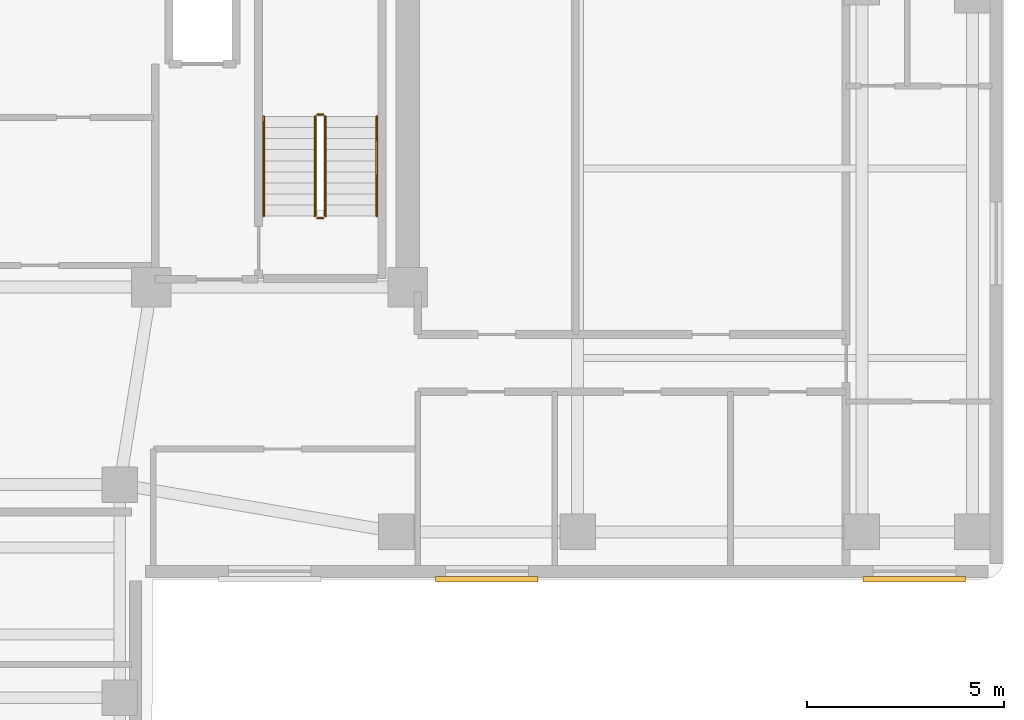
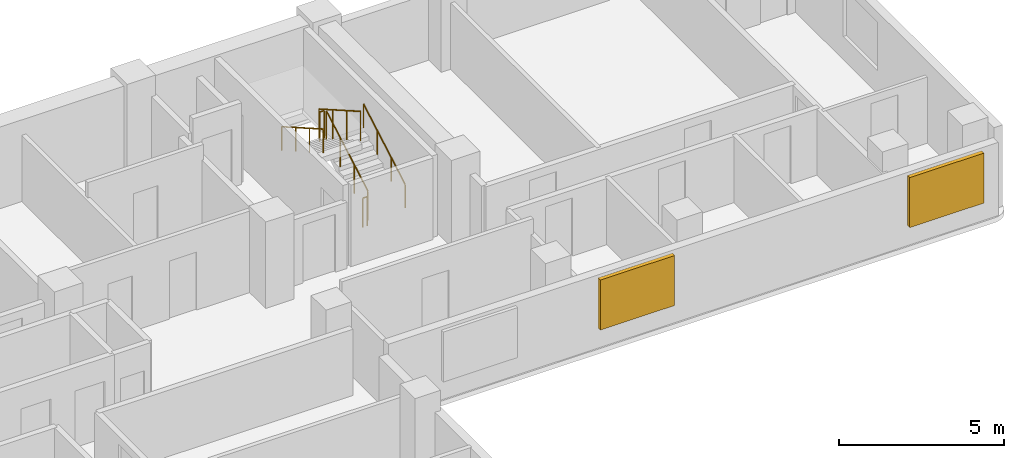
# One storey, part 6 of 6: 6 railings, 2 shading devices.
"""IFC4 building model written with IfcOpenShell, lengths in metres."""

from ifc_helpers import new_model, si_unit, direction, frame, origin, origin_2d, place, context, subcontext, project, spatial, rectangle, circle, extrude, material, layer, layer_set, type_object, element, save


model = new_model("IFC4")

# Units and contexts
model_context = context("Model", 3, precision=1e-05, world=origin(), true_north=direction((0.0, 1.0)))
body_context = subcontext(model_context, "Body", "Model", "MODEL_VIEW")
ifc_project = project(units=[si_unit("LENGTHUNIT", "METRE"), si_unit("AREAUNIT", "SQUARE_METRE"), si_unit("VOLUMEUNIT", "CUBIC_METRE"), si_unit("PLANEANGLEUNIT", "RADIAN"), si_unit("MASSUNIT", "GRAM", prefix="KILO")], contexts=[model_context])

# Site, building, storey
site_placement = place(None, origin())
site = spatial("IfcSite", under=ifc_project, at=site_placement, CompositionType="ELEMENT")
building_placement = place(site_placement, origin())
building = spatial("IfcBuilding", under=site, at=building_placement, Name="Kuzgunbayir Cultural Tower", CompositionType="ELEMENT")
storey_placement = place(building_placement, frame((0.0, 0.0, 182.39990234375)))
storey = spatial("IfcBuildingStorey", under=building, at=storey_placement, Name="L53", CompositionType="ELEMENT", Elevation=182.39990234375)

# Railings
ifc_material_1 = material(Name="Brushed Stainless Steel", Category="steel")
ifc_layer_1 = layer(ifc_material_1, 0.050048828125)
ifc_layer_set_1 = layer_set([ifc_layer_1], Name="Brushed Stainless Steel")
railing_type_1 = type_object("IfcRailingType", Name="RLG-STAIR-HANDRAIL", PredefinedType="HANDRAIL", material=ifc_layer_set_1)
railing_1_placement = place(storey_placement, frame((26.110107421875, 35.60009765625, 0.16015625)))
element("IfcRailing", 1, at=railing_1_placement, inside=storey, type_object=railing_type_1, Name="L53 ST-2 stair handrail 1", PredefinedType="HANDRAIL", context=body_context, shape_type="SweptSolid", body=[
    extrude(circle(Radius=0.02392578125, at=origin_2d()), frame((0.0, 0.0, 0.8759765625), z_axis=(0.0, 0.868253494771, 0.496120820787), x_axis=(-1.0, 0.0, 0.0)), (0.0, 0.0, 1.0), 2.90234375),
    extrude(circle(Radius=0.02099609375, at=origin_2d()), origin(), (0.0, 0.0, 1.0), 0.851806640625),
    extrude(circle(Radius=0.02099609375, at=origin_2d()), frame((0.0, 0.840087890625, 0.47998046875)), (0.0, 0.0, 1.0), 0.851806640625),
    extrude(circle(Radius=0.02099609375, at=origin_2d()), frame((0.0, 1.679931640625, 0.9599609375)), (0.0, 0.0, 1.0), 0.851806640625),
    extrude(circle(Radius=0.02099609375, at=origin_2d()), frame((0.0, 2.52001953125, 1.43994140625)), (0.0, 0.0, 1.0), 0.851806640625),
])
railing_2_placement = place(storey_placement, frame((23.25, 38.1201171875, 1.760009765625)))
element("IfcRailing", 2, at=railing_2_placement, inside=storey, type_object=railing_type_1, Name="L53 ST-2 stair handrail 2", PredefinedType="HANDRAIL", context=body_context, shape_type="SweptSolid", body=[
    extrude(circle(Radius=0.02392578125, at=origin_2d()), frame((0.0, 0.0, 0.8759765625), z_axis=(0.0, -0.868217259934, 0.496184229447), x_axis=(1.0, 0.0, 0.0)), (0.0, 0.0, 1.0), 2.902587890625),
    extrude(circle(Radius=0.02099609375, at=origin_2d()), origin(), (0.0, 0.0, 1.0), 0.851806640625),
    extrude(circle(Radius=0.02099609375, at=origin_2d()), frame((0.0, -0.840087890625, 0.47998046875)), (0.0, 0.0, 1.0), 0.851806640625),
    extrude(circle(Radius=0.02099609375, at=origin_2d()), frame((0.0, -1.679931640625, 0.960205078125)), (0.0, 0.0, 1.0), 0.851806640625),
    extrude(circle(Radius=0.02099609375, at=origin_2d()), frame((0.0, -2.52001953125, 1.440185546875)), (0.0, 0.0, 1.0), 0.851806640625),
])
ifc_material_2 = material(Name="Painted Steel Balustrade", Category="steel")
ifc_layer_2 = layer(ifc_material_2, 0.06005859375)
ifc_layer_set_2 = layer_set([ifc_layer_2], Name="Painted Steel Balustrade")
railing_type_2 = type_object("IfcRailingType", Name="RLG-WELL-GUARD", PredefinedType="GUARDRAIL", material=ifc_layer_set_2)
railing_3_placement = place(storey_placement, frame((24.81005859375, 35.60009765625, 0.16015625)))
element("IfcRailing", 3, at=railing_3_placement, inside=storey, type_object=railing_type_2, Name="L53 ST-2 stair guard 1", PredefinedType="GUARDRAIL", context=body_context, shape_type="SweptSolid", body=[
    extrude(circle(Radius=0.02392578125, at=origin_2d()), frame((0.0, 0.0, 1.076171875), z_axis=(0.0, 0.868253494771, 0.496120820787), x_axis=(-1.0, 0.0, 0.0)), (0.0, 0.0, 1.0), 2.90234375),
    extrude(circle(Radius=0.02099609375, at=origin_2d()), origin(), (0.0, 0.0, 1.0), 1.052001953125),
    extrude(circle(Radius=0.02099609375, at=origin_2d()), frame((0.0, 0.840087890625, 0.47998046875)), (0.0, 0.0, 1.0), 1.052001953125),
    extrude(circle(Radius=0.02099609375, at=origin_2d()), frame((0.0, 1.679931640625, 0.9599609375)), (0.0, 0.0, 1.0), 1.052001953125),
    extrude(circle(Radius=0.02099609375, at=origin_2d()), frame((0.0, 2.52001953125, 1.43994140625)), (0.0, 0.0, 1.0), 1.052001953125),
])
railing_4_placement = place(storey_placement, frame((24.760009765625, 38.169921875, 1.60009765625)))
element("IfcRailing", 4, at=railing_4_placement, inside=storey, type_object=railing_type_2, Name="L53 ST-2 stair guard 2", PredefinedType="GUARDRAIL", context=body_context, shape_type="SweptSolid", body=[
    extrude(circle(Radius=0.02392578125, at=origin_2d()), frame((0.0, 0.0, 1.076171875), z_axis=(-1.0, 0.0, 0.0), x_axis=(0.0, -1.0, 0.0)), (0.0, 0.0, 1.0), 0.159912109375),
    extrude(circle(Radius=0.02099609375, at=origin_2d()), origin(), (0.0, 0.0, 1.0), 1.052001953125),
    extrude(circle(Radius=0.02099609375, at=origin_2d()), frame((-0.159912109375, 0.0, 0.0)), (0.0, 0.0, 1.0), 1.052001953125),
])
railing_5_placement = place(storey_placement, frame((24.550048828125, 38.1201171875, 1.760009765625)))
element("IfcRailing", 5, at=railing_5_placement, inside=storey, type_object=railing_type_2, Name="L53 ST-2 stair guard 3", PredefinedType="GUARDRAIL", context=body_context, shape_type="SweptSolid", body=[
    extrude(circle(Radius=0.02392578125, at=origin_2d()), frame((0.0, 0.0, 1.076171875), z_axis=(0.0, -0.868217259934, 0.496184229447), x_axis=(1.0, 0.0, 0.0)), (0.0, 0.0, 1.0), 2.902587890625),
    extrude(circle(Radius=0.02099609375, at=origin_2d()), origin(), (0.0, 0.0, 1.0), 1.052001953125),
    extrude(circle(Radius=0.02099609375, at=origin_2d()), frame((0.0, -0.840087890625, 0.47998046875)), (0.0, 0.0, 1.0), 1.052001953125),
    extrude(circle(Radius=0.02099609375, at=origin_2d()), frame((0.0, -1.679931640625, 0.960205078125)), (0.0, 0.0, 1.0), 1.052001953125),
    extrude(circle(Radius=0.02099609375, at=origin_2d()), frame((0.0, -2.52001953125, 1.440185546875)), (0.0, 0.0, 1.0), 1.052001953125),
])
railing_6_placement = place(storey_placement, frame((24.760009765625, 35.550048828125, 0.0)))
element("IfcRailing", 6, at=railing_6_placement, inside=storey, type_object=railing_type_2, Name="L53 ST-2 stair guard 4", PredefinedType="GUARDRAIL", context=body_context, shape_type="SweptSolid", body=[
    extrude(circle(Radius=0.02392578125, at=origin_2d()), frame((0.0, 0.0, 1.076171875), z_axis=(-1.0, 0.0, 0.0), x_axis=(0.0, -1.0, 0.0)), (0.0, 0.0, 1.0), 0.159912109375),
    extrude(circle(Radius=0.02099609375, at=origin_2d()), origin(), (0.0, 0.0, 1.0), 1.052001953125),
    extrude(circle(Radius=0.02099609375, at=origin_2d()), frame((-0.159912109375, 0.0, 0.0)), (0.0, 0.0, 1.0), 1.052001953125),
])

# Shading devices
ifc_material_3 = material(Name="Perforated Bronze-Anodised Aluminium", Category="aluminium")
shading_device_type = type_object("IfcShadingDeviceType", Name="SHD-SOLAR-BRONZE", PredefinedType="JALOUSIE", material=ifc_material_3)
for number, where, z_axis, x_axis, name in (
    (7, (39.72998046875, 26.39990234375, 0.735107421875), (0.0, 0.0, 1.0), (1.0, 0.0, 0.0), "L53 Solar Screen WBS5"),
    (8, (28.89990234375, 26.39990234375, 0.735107421875), (0.0, 0.0, 1.0), (1.0, 0.0, 0.0), "L53 Solar Screen WBS13"),
):
    element("IfcShadingDevice", number, at=place(storey_placement, frame(where, z_axis=z_axis, x_axis=x_axis)), inside=storey, type_object=shading_device_type, Name=name, PredefinedType="JALOUSIE", context=body_context, shape_type="SweptSolid", body=[
        extrude(rectangle(XDim=2.60009765625, YDim=0.139892578125, at=origin_2d()), origin(), (0.0, 0.0, 1.0), 1.85009765625),
    ])

save(model, "model.ifc")
